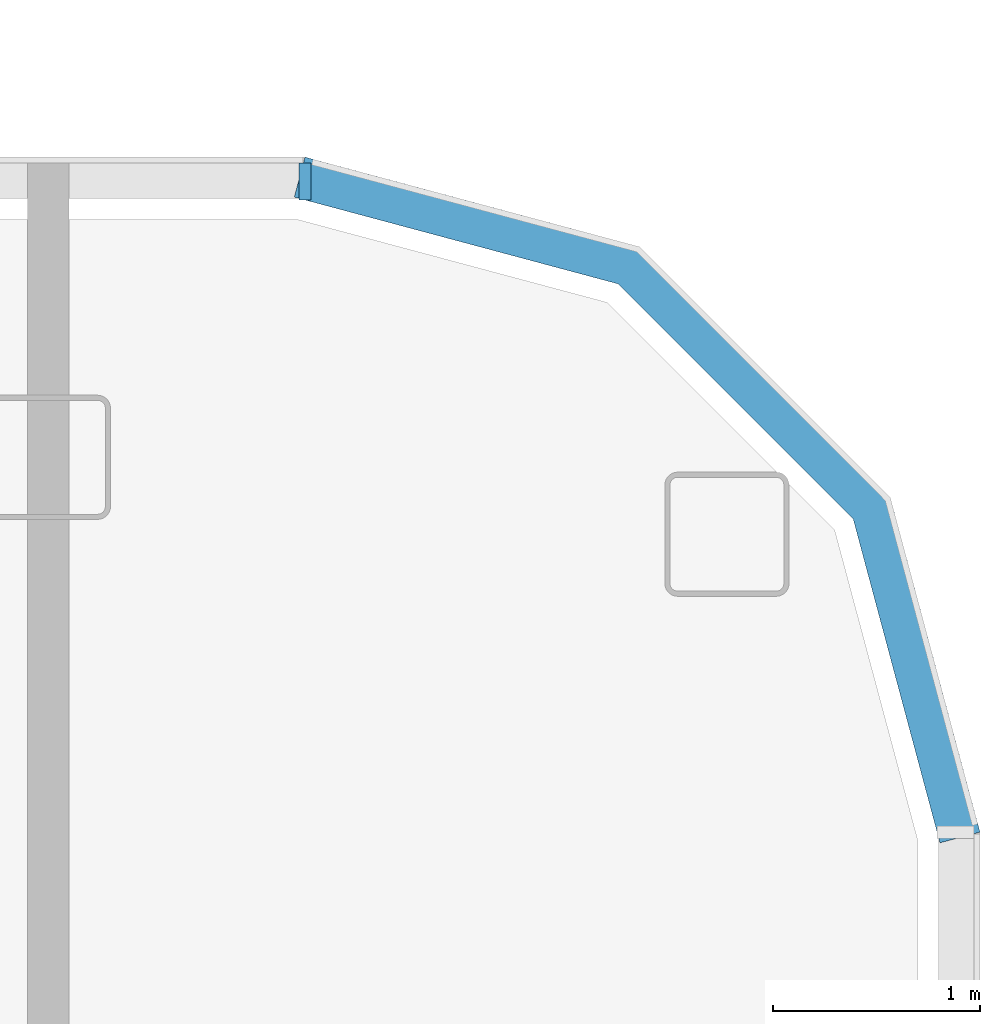
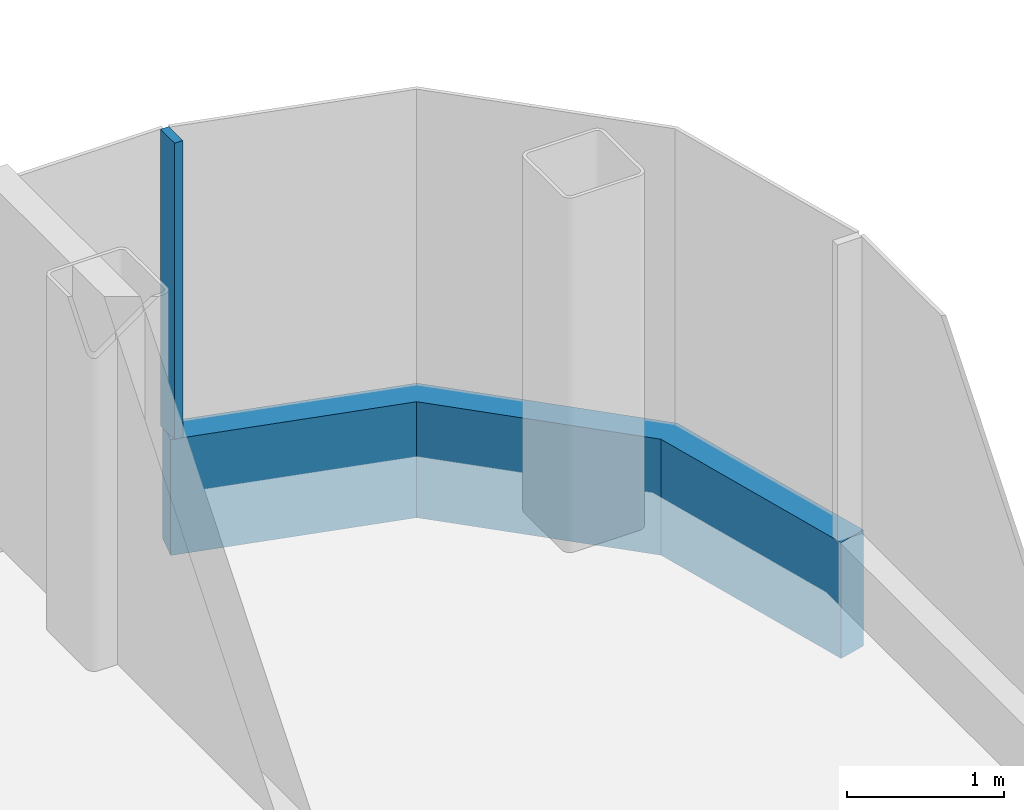
# One storey, part 8 of 29: 2 members, 2 elements without a shape of their own.
"""IFC4 building model written with IfcOpenShell, lengths in metres."""

from ifc_helpers import new_model, si_unit, direction, frame, origin, origin_2d, place, context, subcontext, project, spatial, polyline, rectangle, outline, extrude, material, layer, layer_set, material_profile, profile_set, type_object, element, aggregate, save


model = new_model("IFC4")

# Units and contexts
model_context = context("Model", 3, precision=1e-05, world=origin(), true_north=direction((0.0, 1.0)))
body_context = subcontext(model_context, "Body", "Model", "MODEL_VIEW")
ifc_project = project(units=[si_unit("LENGTHUNIT", "METRE"), si_unit("AREAUNIT", "SQUARE_METRE"), si_unit("VOLUMEUNIT", "CUBIC_METRE"), si_unit("PLANEANGLEUNIT", "RADIAN"), si_unit("MASSUNIT", "GRAM", prefix="KILO")], contexts=[model_context])

# Site, building, storey
site_placement = place(None, origin())
site = spatial("IfcSite", under=ifc_project, at=site_placement, CompositionType="ELEMENT")
building_placement = place(site_placement, origin())
building = spatial("IfcBuilding", under=site, at=building_placement, Name="Hakoniwa Tower and Hamabe Station Hall", CompositionType="ELEMENT")
storey_placement = place(building_placement, frame((0.0, 0.0, 205.800048828125)))
storey = spatial("IfcBuildingStorey", under=building, at=storey_placement, Name="L58", CompositionType="ELEMENT", Elevation=205.800048828125)

# Curtain wall, member
ifc_material_1 = material(Name="Dark low-e laminated glass", Category="glass")
ifc_layer = layer(ifc_material_1, 0.199951171875)
ifc_layer_set = layer_set([ifc_layer], Name="CW-1 UNITISED GUEST")
curtain_wall_type = type_object("IfcCurtainWallType", Name="CW-1 UNITISED GUEST", PredefinedType="NOTDEFINED", material=ifc_layer_set)
curtain_wall_1_placement = place(storey_placement, origin())
curtain_wall_1 = element("IfcCurtainWall", 1, at=curtain_wall_1_placement, inside=storey, type_object=curtain_wall_type, Name="CW-1 curtain wall", PredefinedType="NOTDEFINED")
ifc_material_2 = material(Name="Aluminium 6063-T5 black anodised", Category="aluminium")
ifc_material_profile_1 = material_profile(ifc_material_2, rectangle(XDim=0.199951171875, YDim=0.89990234375, at=origin_2d()), Name="CW SLAB-EDGE BAND 900X200")
ifc_profile_set_1 = profile_set([ifc_material_profile_1], Name="Aluminium 6063-T5 black anodised")
member_type_1 = type_object("IfcMemberType", Name="CW SLAB-EDGE BAND 900X200", PredefinedType="USERDEFINED", material=ifc_profile_set_1)
member_1_placement = place(storey_placement, frame((0.0, 0.0, -0.550048828125)))
member_1 = element("IfcMember", 2, at=member_1_placement, type_object=member_type_1, Name="CW-1 transom", ObjectType="TRANSOM", PredefinedType="USERDEFINED", context=body_context, shape_type="SweptSolid", body=[
    extrude(outline(polyline([(38.10009765625, 17.28955078125), (37.6669921875, 18.9052734375), (36.455322265625, 20.116943359375), (34.839599609375, 20.550048828125), (34.787841796875, 20.35693359375), (36.351806640625, 19.937744140625), (37.48779296875, 18.8017578125), (37.90673828125, 17.23779296875), (38.10009765625, 17.28955078125)])), origin(), (0.0, 0.0, 1.0), 0.89990234375),
])
aggregate(curtain_wall_1, [member_1])

curtain_wall_2_placement = place(storey_placement, origin())
curtain_wall_2 = element("IfcCurtainWall", 3, at=curtain_wall_2_placement, inside=storey, type_object=curtain_wall_type, Name="CW-1 curtain wall", PredefinedType="NOTDEFINED")
ifc_material_3 = material(Name="Aluminium 6063-T5 black anodised", Category="aluminium")
ifc_material_profile_2 = material_profile(ifc_material_3, rectangle(XDim=0.06005859375, YDim=0.179931640625, at=origin_2d()), Name="CW-1 MULLION 60X180")
ifc_profile_set_2 = profile_set([ifc_material_profile_2], Name="Aluminium 6063-T5 black anodised")
member_type_2 = type_object("IfcMemberType", Name="CW-1 MULLION 60X180", PredefinedType="MULLION", material=ifc_profile_set_2)
member_2_placement = place(storey_placement, frame((34.839599609375, 20.431884765625, 0.349853515625), z_axis=(0.0, 0.0, 1.0), x_axis=(-1.0, 0.0, 0.0)))
member_2 = element("IfcMember", 4, at=member_2_placement, type_object=member_type_2, Name="CW-1 mullion", PredefinedType="MULLION", context=body_context, shape_type="SweptSolid", body=[
    extrude(rectangle(XDim=0.06005859375, YDim=0.179931640625, at=origin_2d()), origin(), (0.0, 0.0, 1.0), 2.300048828125),
])
aggregate(curtain_wall_2, [member_2])

save(model, "model.ifc")
